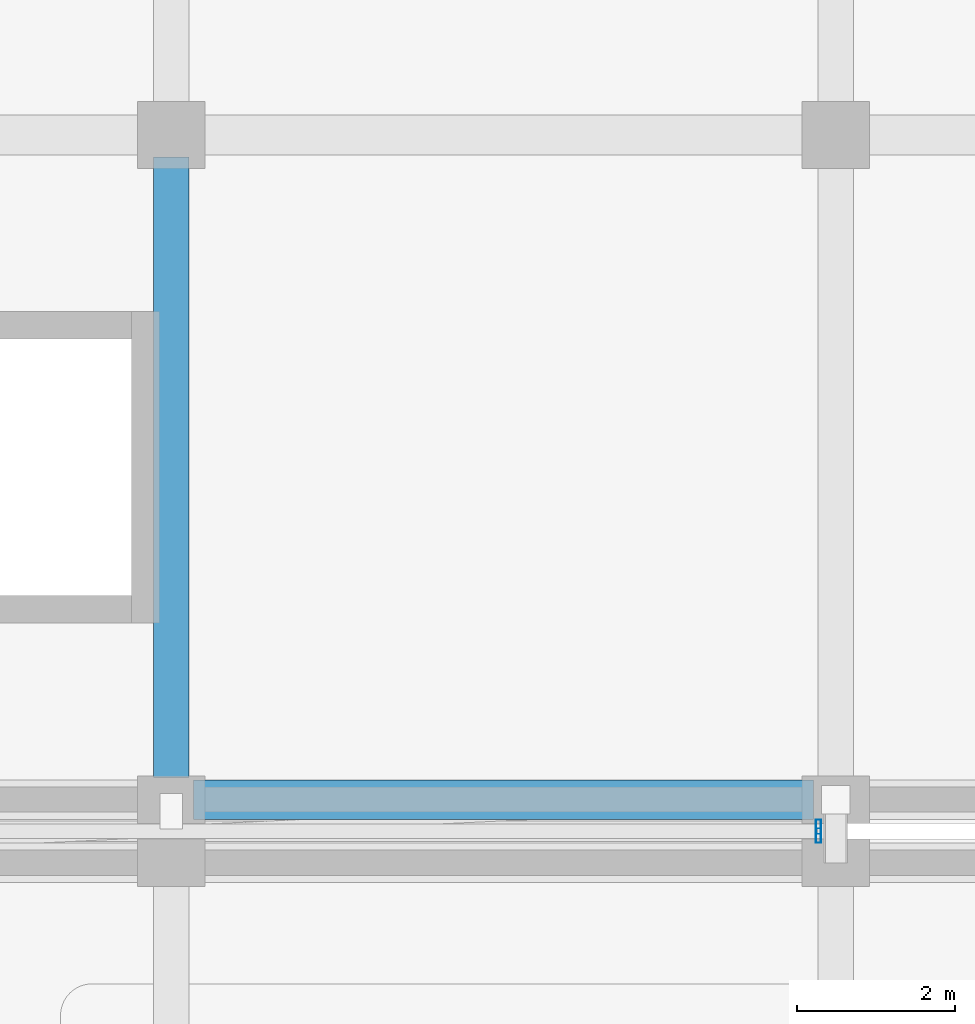
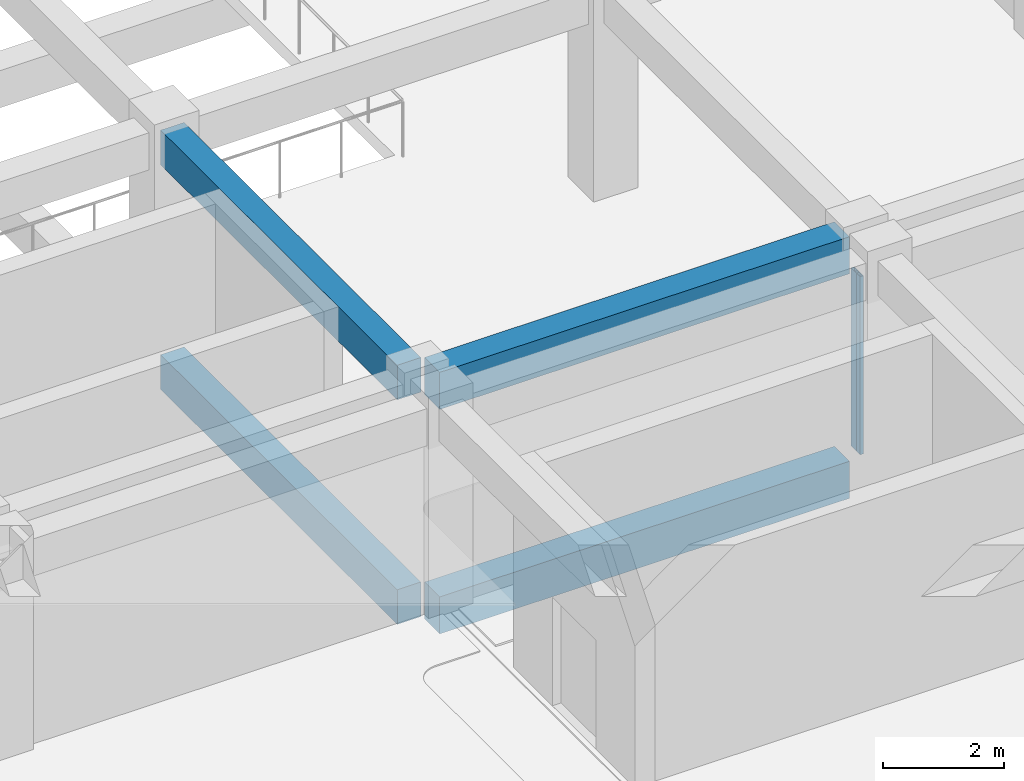
# One storey, part 38 of 129: 4 beams, 2 members, 1 element without a shape of its own.
"""IFC4 building model written with IfcOpenShell, lengths in metres."""

from ifc_helpers import new_model, si_unit, direction, frame, origin, origin_2d, place, context, subcontext, project, spatial, rectangle, hollow_rectangle, extrude, material, layer, layer_set, material_profile, profile_set, type_object, element, aggregate, save


model = new_model("IFC4")

# Units and contexts
model_context = context("Model", 3, precision=1e-05, world=origin(), true_north=direction((0.0, 1.0)))
body_context = subcontext(model_context, "Body", "Model", "MODEL_VIEW")
ifc_project = project(units=[si_unit("LENGTHUNIT", "METRE"), si_unit("AREAUNIT", "SQUARE_METRE"), si_unit("VOLUMEUNIT", "CUBIC_METRE"), si_unit("PLANEANGLEUNIT", "RADIAN"), si_unit("MASSUNIT", "GRAM", prefix="KILO")], contexts=[model_context])

# Site, building, storey
site_placement = place(None, origin())
site = spatial("IfcSite", under=ifc_project, at=site_placement, CompositionType="ELEMENT")
building_placement = place(site_placement, origin())
building = spatial("IfcBuilding", under=site, at=building_placement, Name="Xazarin Passage Department Store", CompositionType="ELEMENT")
storey_placement = place(building_placement, frame((0.0, 0.0, 9.89990234375)))
storey = spatial("IfcBuildingStorey", under=building, at=storey_placement, Name="L02", CompositionType="ELEMENT", Elevation=9.89990234375)

# Curtain wall, members
ifc_material_1 = material(Name="Bronze anodised aluminium", Category="aluminium")
ifc_layer = layer(ifc_material_1, 0.14990234375)
ifc_layer_set = layer_set([ifc_layer], Name="Bronze anodised aluminium")
curtain_wall_type = type_object("IfcCurtainWallType", Name="ARC-CW-BRG1", PredefinedType="NOTDEFINED", material=ifc_layer_set)
curtain_wall_placement = place(storey_placement, origin())
curtain_wall = element("IfcCurtainWall", 1, at=curtain_wall_placement, inside=storey, type_object=curtain_wall_type, Name="L02 BR-V2S-V2N Bridge Curtain Wall 2", PredefinedType="NOTDEFINED")
ifc_material_profile_1 = material_profile(ifc_material_1, hollow_rectangle(XDim=0.06494140625, YDim=0.179931640625, WallThickness=0.00390625, at=origin_2d()), Name="ALU 65x180")
ifc_profile_set_1 = profile_set([ifc_material_profile_1], Name="Bronze anodised aluminium")
member_type = type_object("IfcMemberType", Name="ARC-CWM-65x180", PredefinedType="MULLION", material=ifc_profile_set_1)
member_1_placement = place(storey_placement, frame((92.97998046875, 50.742431640625, 0.0), z_axis=(0.0, 0.0, 1.0), x_axis=(-1.0, 0.0, 0.0)))
member_1 = element("IfcMember", 2, at=member_1_placement, type_object=member_type, Name="CW7 mullion 1", PredefinedType="MULLION", context=body_context, shape_type="SweptSolid", body=[
    extrude(hollow_rectangle(XDim=0.06494140625, YDim=0.179931640625, WallThickness=0.00390625, at=origin_2d()), origin(), (0.0, 0.0, 1.0), 3.60009765625),
])
member_2_placement = place(storey_placement, frame((92.97998046875, 50.857421875, 0.0), z_axis=(0.0, 0.0, 1.0), x_axis=(-1.0, 0.0, 0.0)))
member_2 = element("IfcMember", 3, at=member_2_placement, type_object=member_type, Name="CW7 mullion 2", PredefinedType="MULLION", context=body_context, shape_type="SweptSolid", body=[
    extrude(hollow_rectangle(XDim=0.06494140625, YDim=0.179931640625, WallThickness=0.00390625, at=origin_2d()), origin(), (0.0, 0.0, 1.0), 3.60009765625),
])
aggregate(curtain_wall, [member_1, member_2])

# Beams
ifc_material_2 = material(Name="Concrete C35/45", Category="concrete")
ifc_material_profile_2 = material_profile(ifc_material_2, rectangle(XDim=0.449951171875, YDim=0.699951171875, at=origin_2d()), Name="RC 450x700")
ifc_profile_set_2 = profile_set([ifc_material_profile_2], Name="Concrete C35/45")
beam_type_1 = type_object("IfcBeamType", Name="STR-BM-G450x700", PredefinedType="BEAM", material=ifc_profile_set_2)
for number, where, z_axis, x_axis, name in (
    (4, (84.800048828125, 51.47998046875, -0.64990234375), (0.0, 1.0, 0.0), (-1.0, 0.0, 0.0), "L02 Grid Beam 12/H-J"),
    (5, (84.800048828125, 51.47998046875, 3.89013671875), (0.0, 1.0, 0.0), (-1.0, 0.0, 0.0), "L02 Grid Beam 12/H-J"),
):
    element("IfcBeam", number, at=place(storey_placement, frame(where, z_axis=z_axis, x_axis=x_axis)), inside=storey, type_object=beam_type_1, Name=name, PredefinedType="BEAM", context=body_context, shape_type="SweptSolid", body=[
        extrude(rectangle(XDim=0.449951171875, YDim=0.699951171875, at=origin_2d()), origin(), (0.0, 0.0, 1.0), 7.840087890625),
    ])
ifc_material_profile_3 = material_profile(ifc_material_2, rectangle(XDim=0.5, YDim=0.75, at=origin_2d()), Name="RC 500x750")
ifc_profile_set_3 = profile_set([ifc_material_profile_3], Name="Concrete C35/45")
beam_type_2 = type_object("IfcBeamType", Name="STR-BM-SP500x750", PredefinedType="SPANDREL", material=ifc_profile_set_3)
for number, where, z_axis, x_axis, name in (
    (6, (85.080078125, 51.199951171875, -0.6748046875), (1.0, 0.0, 0.0), (0.0, 1.0, 0.0), "L02 Grid Beam H/12-13"),
    (7, (85.080078125, 51.199951171875, 3.864990234375), (1.0, 0.0, 0.0), (0.0, 1.0, 0.0), "L02 Grid Beam H/12-13"),
):
    element("IfcBeam", number, at=place(storey_placement, frame(where, z_axis=z_axis, x_axis=x_axis)), inside=storey, type_object=beam_type_2, Name=name, PredefinedType="SPANDREL", context=body_context, shape_type="SweptSolid", body=[
        extrude(rectangle(XDim=0.5, YDim=0.75, at=origin_2d()), origin(), (0.0, 0.0, 1.0), 7.83984375),
    ])

save(model, "model.ifc")
